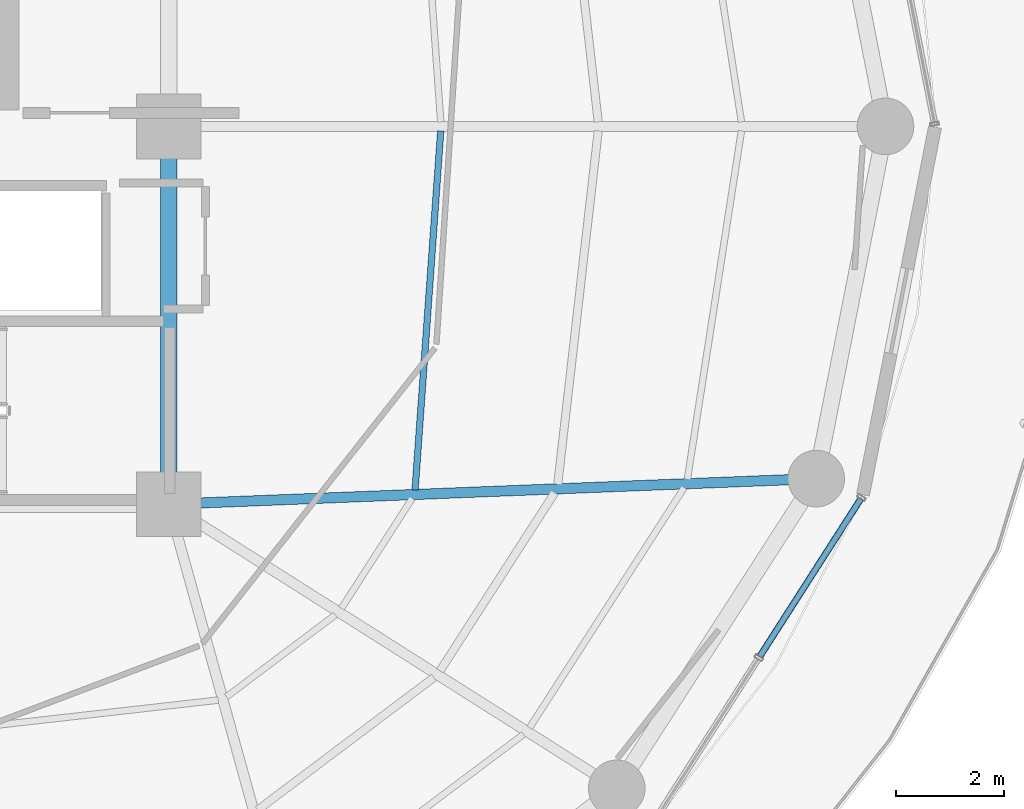
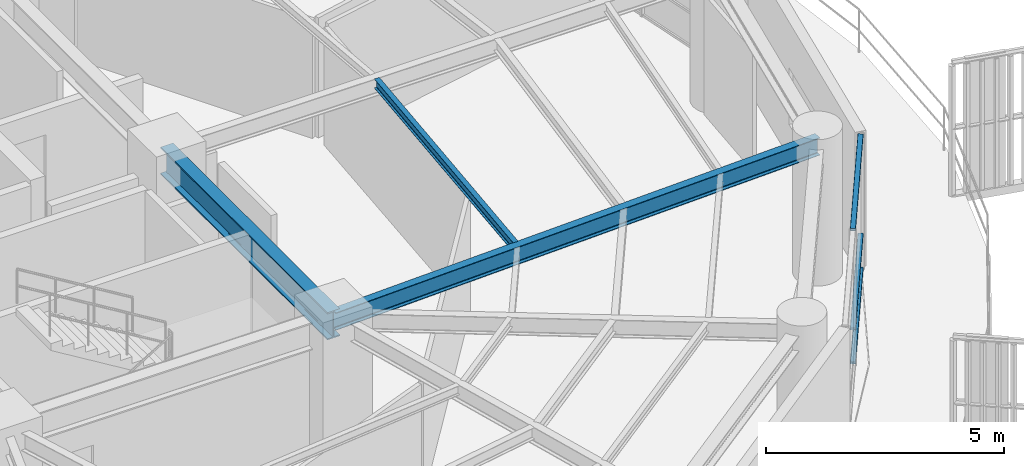
# One storey, part 12 of 30: 3 beams, 3 members, 1 element without a shape of its own.
"""IFC4 building model written with IfcOpenShell, lengths in metres."""

from ifc_helpers import new_model, si_unit, direction, frame, origin, origin_2d, place, context, subcontext, project, spatial, hollow_rectangle, i_section, extrude, material, layer, layer_set, material_profile, profile_set, type_object, element, aggregate, save


model = new_model("IFC4")

# Units and contexts
model_context = context("Model", 3, precision=1e-05, world=origin(), true_north=direction((0.0, 1.0)))
body_context = subcontext(model_context, "Body", "Model", "MODEL_VIEW")
ifc_project = project(units=[si_unit("LENGTHUNIT", "METRE"), si_unit("AREAUNIT", "SQUARE_METRE"), si_unit("VOLUMEUNIT", "CUBIC_METRE"), si_unit("PLANEANGLEUNIT", "RADIAN"), si_unit("MASSUNIT", "GRAM", prefix="KILO")], contexts=[model_context])

# Site, building, storey
site_placement = place(None, origin())
site = spatial("IfcSite", under=ifc_project, at=site_placement, CompositionType="ELEMENT")
building_placement = place(site_placement, origin())
building = spatial("IfcBuilding", under=site, at=building_placement, Name="Kelanora Arch Commons", CompositionType="ELEMENT")
storey_placement = place(building_placement, frame((0.0, 0.0, 204.449951171875)))
storey = spatial("IfcBuildingStorey", under=building, at=storey_placement, Name="L52", CompositionType="ELEMENT", Elevation=204.449951171875)

# Beams
ifc_material_1 = material(Name="Steel S355", Category="steel")
ifc_material_profile_1 = material_profile(ifc_material_1, i_section(OverallWidth=0.300048828125, OverallDepth=0.699951171875, WebThickness=0.01708984375, FlangeThickness=0.031982421875, FilletRadius=0.027099609375, at=origin_2d()), Name="HEB700")
ifc_profile_set_1 = profile_set([ifc_material_profile_1], Name="Steel S355")
beam_type_1 = type_object("IfcBeamType", Name="BM-CORE-HDR", PredefinedType="BEAM", material=ifc_profile_set_1)
beam_1_placement = place(storey_placement, frame((82.0, 51.0, 3.14013671875), z_axis=(0.0, 1.0, 0.0), x_axis=(-1.0, 0.0, 0.0)))
element("IfcBeam", 1, at=beam_1_placement, inside=storey, type_object=beam_type_1, Name="Core Header Beam 03 L52", PredefinedType="BEAM", context=body_context, shape_type="SweptSolid", body=[
    extrude(i_section(OverallWidth=0.300048828125, OverallDepth=0.699951171875, WebThickness=0.01708984375, FlangeThickness=0.031982421875, FilletRadius=0.027099609375, at=origin_2d()), origin(), (0.0, 0.0, 1.0), 7.0),
])
ifc_material_profile_2 = material_profile(ifc_material_1, i_section(OverallWidth=0.1201171875, OverallDepth=0.239990234375, WebThickness=0.006103515625, FlangeThickness=0.009765625, FilletRadius=0.014892578125, at=origin_2d()), Name="IPE240")
ifc_profile_set_2 = profile_set([ifc_material_profile_2], Name="Steel S355")
beam_type_2 = type_object("IfcBeamType", Name="BM-JST-02", PredefinedType="JOIST", material=ifc_profile_set_2)
beam_2_placement = place(storey_placement, frame((86.564697265625, 51.264892578125, 3.3701171875), z_axis=(0.07133032136, 0.997452748382, 0.0), x_axis=(-0.997452748382, 0.07133032136, 0.0)))
element("IfcBeam", 2, at=beam_2_placement, inside=storey, type_object=beam_type_2, Name="Secondary Chord Joist BJA-34 L52", PredefinedType="JOIST", context=body_context, shape_type="SweptSolid", body=[
    extrude(i_section(OverallWidth=0.1201171875, OverallDepth=0.239990234375, WebThickness=0.006103515625, FlangeThickness=0.009765625, FilletRadius=0.014892578125, at=origin_2d()), origin(), (0.0, 0.0, 1.0), 6.66748046875),
])
ifc_material_profile_3 = material_profile(ifc_material_1, i_section(OverallWidth=0.18994140625, OverallDepth=0.449951171875, WebThickness=0.009521484375, FlangeThickness=0.0146484375, FilletRadius=0.02099609375, at=origin_2d()), Name="IPE450")
ifc_profile_set_3 = profile_set([ifc_material_profile_3], Name="Steel S355")
beam_type_3 = type_object("IfcBeamType", Name="BM-RAD-Z4", PredefinedType="BEAM", material=ifc_profile_set_3)
beam_3_placement = place(storey_placement, frame((82.0, 51.0, 3.26513671875), z_axis=(0.999219142585, 0.03951082246, 0.0), x_axis=(-0.03951082246, 0.999219142585, 0.0)))
element("IfcBeam", 3, at=beam_3_placement, inside=storey, type_object=beam_type_3, Name="Radial Floor Girder BR-34 L52", PredefinedType="BEAM", context=body_context, shape_type="SweptSolid", body=[
    extrude(i_section(OverallWidth=0.18994140625, OverallDepth=0.449951171875, WebThickness=0.009521484375, FlangeThickness=0.0146484375, FilletRadius=0.02099609375, at=origin_2d()), origin(), (0.0, 0.0, 1.0), 12.005859375),
])

# Curtain wall, members
ifc_material_2 = material(Name="Terracotta ceramic-fritted low-E glass and aluminium", Category="masonry")
ifc_layer = layer(ifc_material_2, 0.175048828125)
ifc_layer_set = layer_set([ifc_layer], Name="Terracotta ceramic-fritted low-E glass and aluminium")
curtain_wall_type = type_object("IfcCurtainWallType", Name="CW-SYS-02", PredefinedType="NOTDEFINED", material=ifc_layer_set)
curtain_wall_placement = place(storey_placement, origin())
curtain_wall = element("IfcCurtainWall", 4, at=curtain_wall_placement, inside=storey, type_object=curtain_wall_type, Name="Unitised Curtain Wall L52-B16", PredefinedType="NOTDEFINED")
ifc_material_3 = material(Name="Powder-coated aluminium terracotta", Category="masonry")
ifc_material_profile_4 = material_profile(ifc_material_3, hollow_rectangle(XDim=0.1201171875, YDim=0.06005859375, WallThickness=0.0048828125, InnerFilletRadius=0.0048828125, OuterFilletRadius=0.010009765625, at=origin_2d()), Name="CWT120x60")
ifc_profile_set_4 = profile_set([ifc_material_profile_4], Name="Powder-coated aluminium terracotta")
member_type = type_object("IfcMemberType", Name="CWT-STD", PredefinedType="USERDEFINED", material=ifc_profile_set_4)
member_1_placement = place(storey_placement, frame((92.949951171875, 48.17724609375, 0.030029296875), z_axis=(0.539579095642, 0.84193491408, 0.0), x_axis=(-0.84193491408, 0.539579095642, 0.0)))
member_1 = element("IfcMember", 5, at=member_1_placement, type_object=member_type, Name="CW-02 transom 2.1", ObjectType="TRANSOM", PredefinedType="USERDEFINED", context=body_context, shape_type="SweptSolid", body=[
    extrude(hollow_rectangle(XDim=0.1201171875, YDim=0.06005859375, WallThickness=0.0048828125, InnerFilletRadius=0.0048828125, OuterFilletRadius=0.010009765625, at=origin_2d()), origin(), (0.0, 0.0, 1.0), 3.46728515625),
])
member_2_placement = place(storey_placement, frame((92.949951171875, 48.17724609375, 0.900146484375), z_axis=(0.539579095642, 0.84193491408, 0.0), x_axis=(-0.84193491408, 0.539579095642, 0.0)))
member_2 = element("IfcMember", 6, at=member_2_placement, type_object=member_type, Name="CW-02 transom 2.2", ObjectType="TRANSOM", PredefinedType="USERDEFINED", context=body_context, shape_type="SweptSolid", body=[
    extrude(hollow_rectangle(XDim=0.1201171875, YDim=0.06005859375, WallThickness=0.0048828125, InnerFilletRadius=0.0048828125, OuterFilletRadius=0.010009765625, at=origin_2d()), origin(), (0.0, 0.0, 1.0), 3.46728515625),
])
member_3_placement = place(storey_placement, frame((92.949951171875, 48.17724609375, 3.445068359375), z_axis=(0.539579095642, 0.84193491408, 0.0), x_axis=(-0.84193491408, 0.539579095642, 0.0)))
member_3 = element("IfcMember", 7, at=member_3_placement, type_object=member_type, Name="CW-02 transom 2.3", ObjectType="TRANSOM", PredefinedType="USERDEFINED", context=body_context, shape_type="SweptSolid", body=[
    extrude(hollow_rectangle(XDim=0.1201171875, YDim=0.06005859375, WallThickness=0.0048828125, InnerFilletRadius=0.0048828125, OuterFilletRadius=0.010009765625, at=origin_2d()), origin(), (0.0, 0.0, 1.0), 3.46728515625),
])
aggregate(curtain_wall, [member_1, member_2, member_3])

save(model, "model.ifc")
